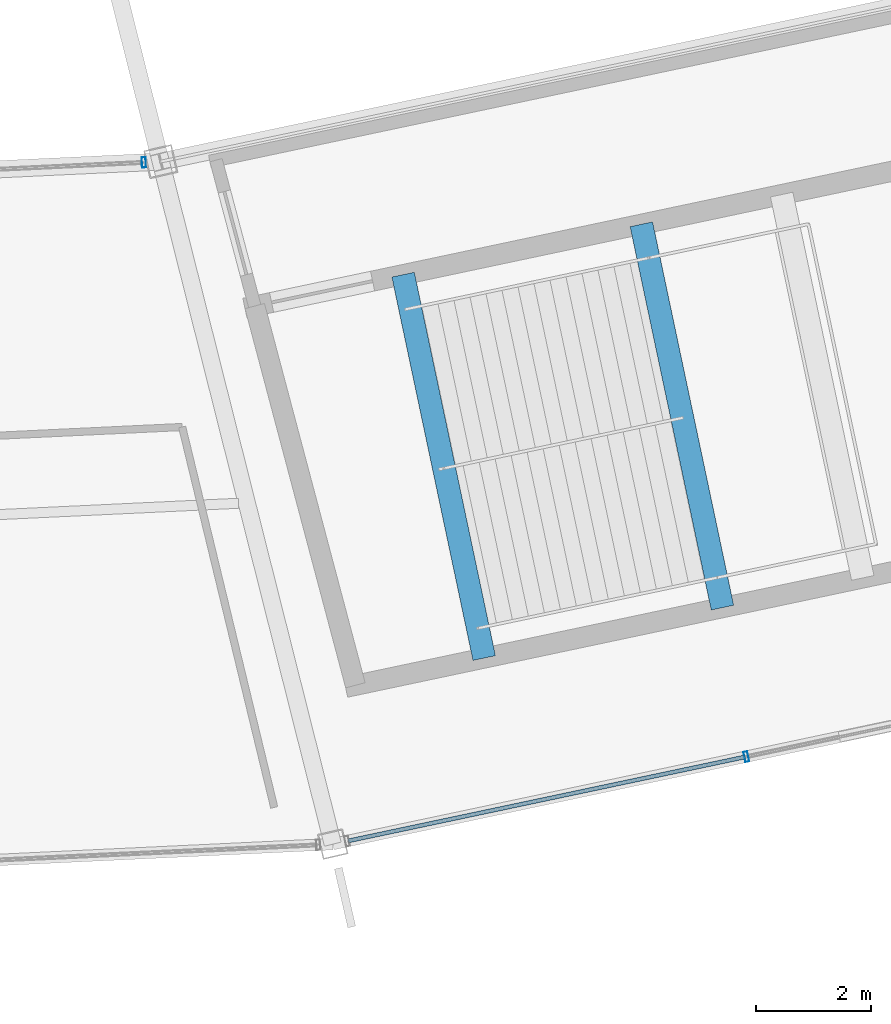
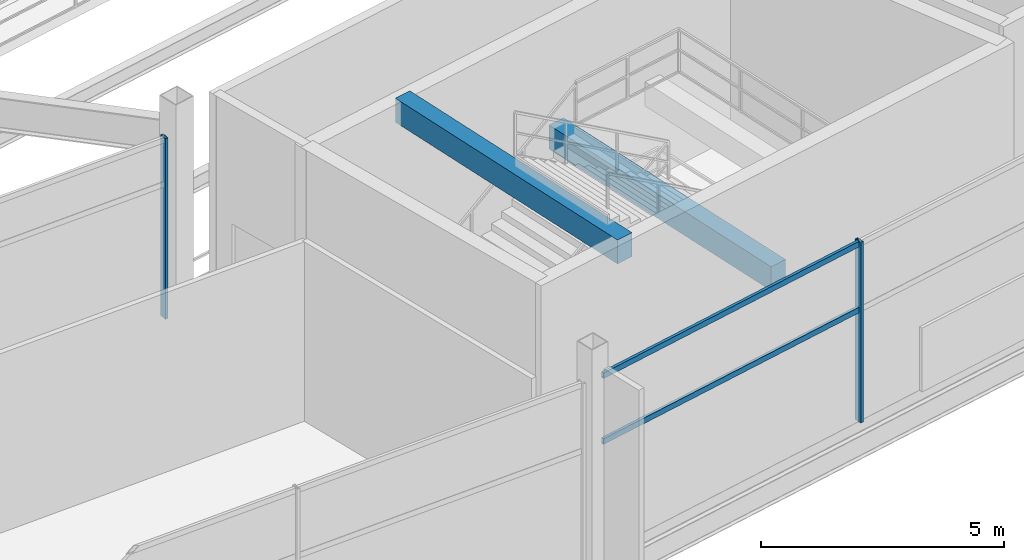
# One storey, part 40 of 186: 4 members, 2 beams, 2 elements without a shape of their own.
"""IFC4 building model written with IfcOpenShell, lengths in metres."""

from ifc_helpers import new_model, si_unit, direction, frame, origin, origin_2d, place, context, subcontext, project, spatial, rectangle, hollow_rectangle, extrude, material, layer, layer_set, material_profile, profile_set, type_object, element, aggregate, save


model = new_model("IFC4")

# Units and contexts
model_context = context("Model", 3, precision=1e-05, world=origin(), true_north=direction((0.0, 1.0)))
body_context = subcontext(model_context, "Body", "Model", "MODEL_VIEW")
ifc_project = project(units=[si_unit("LENGTHUNIT", "METRE"), si_unit("AREAUNIT", "SQUARE_METRE"), si_unit("VOLUMEUNIT", "CUBIC_METRE"), si_unit("PLANEANGLEUNIT", "RADIAN"), si_unit("MASSUNIT", "GRAM", prefix="KILO")], contexts=[model_context])

# Site, building, storey
site_placement = place(None, origin())
site = spatial("IfcSite", under=ifc_project, at=site_placement, CompositionType="ELEMENT")
building_placement = place(site_placement, origin())
building = spatial("IfcBuilding", under=site, at=building_placement, Name="Kazemori Nagisa Stadium", CompositionType="ELEMENT")
storey_placement = place(building_placement, frame((0.0, 0.0, 20.39990234375)))
storey = spatial("IfcBuildingStorey", under=building, at=storey_placement, Name="L04", CompositionType="ELEMENT", Elevation=20.39990234375)

# Beams
ifc_material_1 = material(Name="Concrete C40/50 (Fc42)", Category="concrete")
ifc_material_profile_1 = material_profile(ifc_material_1, rectangle(XDim=0.39990234375, YDim=0.60009765625, at=origin_2d()), Name="RC-BM-400x600")
ifc_profile_set_1 = profile_set([ifc_material_profile_1], Name="Concrete C40/50 (Fc42)")
beam_type = type_object("IfcBeamType", Name="Beam_BG-LND400X600", PredefinedType="BEAM", material=ifc_profile_set_1)
for number, where, z_axis, x_axis, name in (
    (1, (149.8056640625, 27.819091796875, 2.22021484375), (0.206997403527, -0.978341491982, 0.0), (0.978341491982, 0.206997403527, 0.0), "Core stair mid-landing girder ST06-L04-1"),
    (2, (145.652587890625, 26.9404296875, 4.880126953125), (0.206997403527, -0.978341491982, 0.0), (0.978341491982, 0.206997403527, 0.0), "Core stair arrival header girder ST06-L04"),
):
    element("IfcBeam", number, at=place(storey_placement, frame(where, z_axis=z_axis, x_axis=x_axis)), inside=storey, type_object=beam_type, Name=name, PredefinedType="BEAM", context=body_context, shape_type="SweptSolid", body=[
        extrude(rectangle(XDim=0.39990234375, YDim=0.60009765625, at=origin_2d()), origin(), (0.0, 0.0, 1.0), 6.831298828125),
    ])

# Curtain wall, member
ifc_material_2 = material(Name="Anodised aluminium 6063-T5", Category="aluminium")
ifc_layer_1 = layer(ifc_material_2, 0.179931640625, Name="Anodised aluminium 6063-T5", Category="aluminium")
ifc_layer_set_1 = layer_set([ifc_layer_1], Name="Anodised aluminium 6063-T5")
curtain_wall_type_1 = type_object("IfcCurtainWallType", Name="CW_L04R3_107", PredefinedType="USERDEFINED", material=ifc_layer_set_1)
curtain_wall_1_placement = place(storey_placement, origin())
curtain_wall_1 = element("IfcCurtainWall", 3, at=curtain_wall_1_placement, inside=storey, type_object=curtain_wall_type_1, Name="Unitised curtain wall CW-L04R3-107 L04", ObjectType="UNITISED CURTAIN WALL", PredefinedType="USERDEFINED")
ifc_material_3 = material(Name="Aluminium 6063-T5 anodised", Category="aluminium")
ifc_material_profile_2 = material_profile(ifc_material_3, hollow_rectangle(XDim=0.070068359375, YDim=0.179931640625, WallThickness=0.00390625, at=origin_2d()), Name="ALU-MULL-70x180x4")
ifc_profile_set_2 = profile_set([ifc_material_profile_2], Name="Aluminium 6063-T5 anodised")
member_type_1 = type_object("IfcMemberType", Name="Mullion_M01", PredefinedType="MULLION", material=ifc_profile_set_2)
member_1_placement = place(storey_placement, frame((151.636474609375, 18.538330078125, 0.0), z_axis=(0.0, 0.0, 1.0), x_axis=(0.978344955407, 0.206981033502, 0.0)))
member_1 = element("IfcMember", 4, at=member_1_placement, type_object=member_type_1, Name="Curtain wall mullion CW-L04R3-107-M2", PredefinedType="MULLION", context=body_context, shape_type="SweptSolid", body=[
    extrude(hollow_rectangle(XDim=0.070068359375, YDim=0.179931640625, WallThickness=0.00390625, at=origin_2d()), origin(), (0.0, 0.0, 1.0), 4.530029296875),
])

ifc_layer_2 = layer(ifc_material_2, 0.179931640625, Name="Anodised aluminium 6063-T5", Category="aluminium")
ifc_layer_set_2 = layer_set([ifc_layer_2], Name="Anodised aluminium 6063-T5")
curtain_wall_type_2 = type_object("IfcCurtainWallType", Name="CW_L04B_90", PredefinedType="USERDEFINED", material=ifc_layer_set_2)
curtain_wall_2_placement = place(storey_placement, origin())
curtain_wall_2 = element("IfcCurtainWall", 5, at=curtain_wall_2_placement, inside=storey, type_object=curtain_wall_type_2, Name="Unitised curtain wall CW-L04B-90 L04", ObjectType="UNITISED CURTAIN WALL", PredefinedType="USERDEFINED")
member_2_placement = place(storey_placement, frame((141.133056640625, 28.8974609375, 0.0), z_axis=(0.0, 0.0, 1.0), x_axis=(0.998884022476, 0.047230388971, 0.0)))
member_2 = element("IfcMember", 6, at=member_2_placement, type_object=member_type_1, Name="Curtain wall mullion CW-L04B-90-M4", PredefinedType="MULLION", context=body_context, shape_type="SweptSolid", body=[
    extrude(hollow_rectangle(XDim=0.070068359375, YDim=0.179931640625, WallThickness=0.00390625, at=origin_2d()), origin(), (0.0, 0.0, 1.0), 4.530029296875),
])
aggregate(curtain_wall_2, [member_2])

# Member
ifc_material_profile_3 = material_profile(ifc_material_3, hollow_rectangle(XDim=0.070068359375, YDim=0.139892578125, WallThickness=0.00390625, at=origin_2d()), Name="ALU-TRAN-70x140x4")
ifc_profile_set_3 = profile_set([ifc_material_profile_3], Name="Aluminium 6063-T5 anodised")
member_type_2 = type_object("IfcMemberType", Name="Transom_T01", PredefinedType="USERDEFINED", material=ifc_profile_set_3)
member_3_placement = place(storey_placement, frame((144.69677734375, 17.070068359375, 2.80859375), z_axis=(0.97834311718, 0.206989722128, 0.0), x_axis=(-0.206989722128, 0.97834311718, 0.0)))
member_3 = element("IfcMember", 7, at=member_3_placement, type_object=member_type_2, Name="Curtain wall transom CW-L04R3-107-T1-mid", ObjectType="TRANSOM", PredefinedType="USERDEFINED", context=body_context, shape_type="SweptSolid", body=[
    extrude(hollow_rectangle(XDim=0.070068359375, YDim=0.139892578125, WallThickness=0.00390625, at=origin_2d()), origin(), (0.0, 0.0, 1.0), 7.0732421875),
])

member_4_placement = place(storey_placement, frame((144.69677734375, 17.070068359375, 4.460205078125), z_axis=(0.97834311718, 0.206989722128, 0.0), x_axis=(-0.206989722128, 0.97834311718, 0.0)))
member_4 = element("IfcMember", 8, at=member_4_placement, type_object=member_type_2, Name="Curtain wall transom CW-L04R3-107-T1-head", ObjectType="TRANSOM", PredefinedType="USERDEFINED", context=body_context, shape_type="SweptSolid", body=[
    extrude(hollow_rectangle(XDim=0.070068359375, YDim=0.139892578125, WallThickness=0.00390625, at=origin_2d()), origin(), (0.0, 0.0, 1.0), 7.0732421875),
])

aggregate(curtain_wall_1, [member_1, member_3, member_4])

save(model, "model.ifc")
